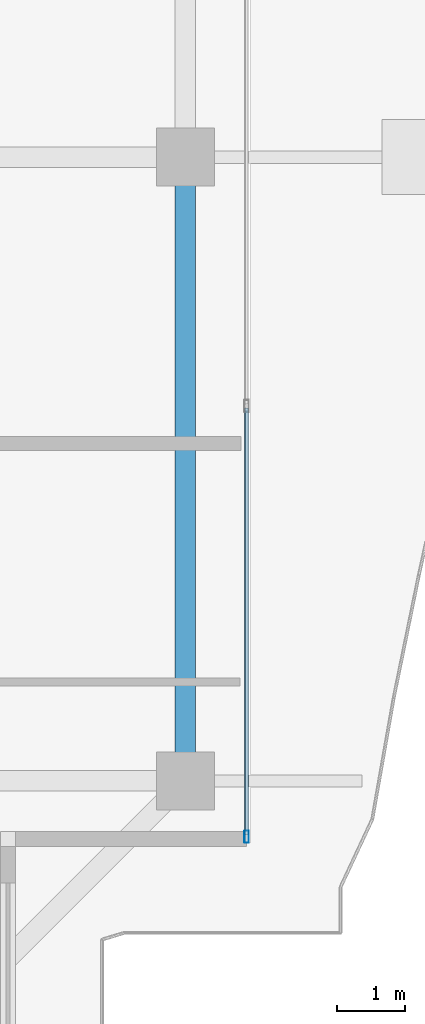
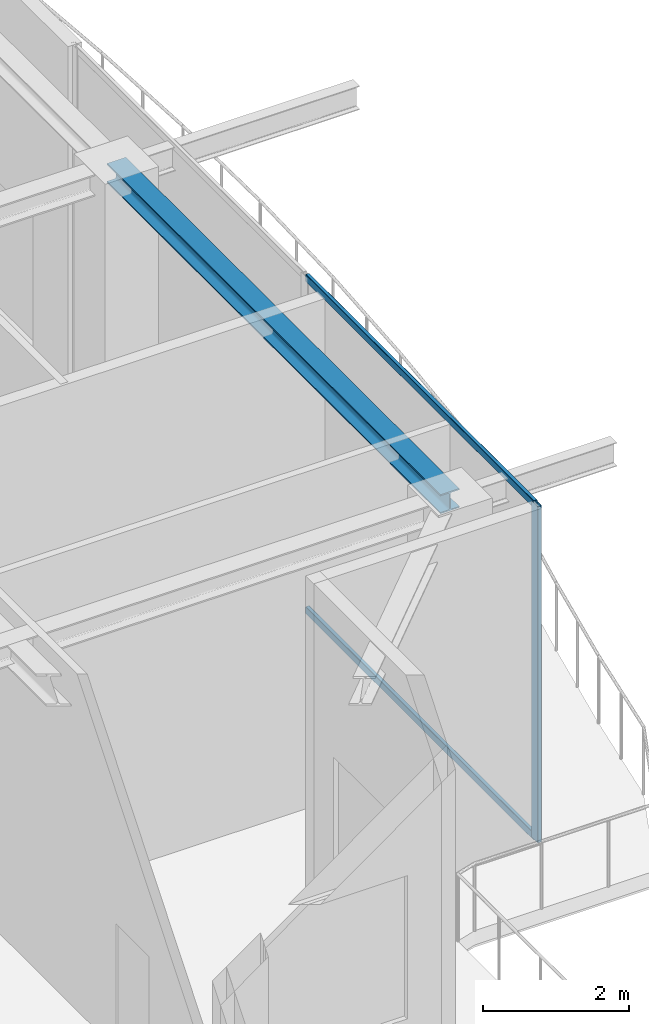
# One storey, part 13 of 38: 3 members, 1 beam, 1 element without a shape of its own.
"""IFC4 building model written with IfcOpenShell, lengths in metres."""

from ifc_helpers import new_model, si_unit, direction, frame, origin, origin_2d, place, context, subcontext, project, spatial, hollow_rectangle, i_section, extrude, source, transform, mapped, material, layer, layer_set, material_profile, profile_set, type_object, element, aggregate, save


model = new_model("IFC4")

# Units and contexts
model_context = context("Model", 3, precision=1e-05, world=origin(), true_north=direction((0.0, 1.0)))
body_context = subcontext(model_context, "Body", "Model", "MODEL_VIEW")
ifc_project = project(units=[si_unit("LENGTHUNIT", "METRE"), si_unit("AREAUNIT", "SQUARE_METRE"), si_unit("VOLUMEUNIT", "CUBIC_METRE"), si_unit("PLANEANGLEUNIT", "RADIAN"), si_unit("MASSUNIT", "GRAM", prefix="KILO")], contexts=[model_context])

# Site, building, storey
site_placement = place(None, origin())
site = spatial("IfcSite", under=ifc_project, at=site_placement, CompositionType="ELEMENT")
building_placement = place(site_placement, origin())
building = spatial("IfcBuilding", under=site, at=building_placement, Name="Serunith Strait Residences", CompositionType="ELEMENT")
storey_placement = place(building_placement, frame((0.0, 0.0, 342.050048828125)))
storey = spatial("IfcBuildingStorey", under=building, at=storey_placement, Name="L85", CompositionType="ELEMENT", Elevation=342.050048828125)

# Beam
ifc_material_1 = material(Name="Steel S355J2", Category="steel")
ifc_material_profile_1 = material_profile(ifc_material_1, i_section(OverallWidth=0.300048828125, OverallDepth=0.320068359375, WebThickness=0.011474609375, FlangeThickness=0.0205078125, FilletRadius=0.027099609375, at=origin_2d()), Name="HEB 320")
ifc_profile_set_1 = profile_set([ifc_material_profile_1], Name="Steel S355J2")
beam_type = type_object("IfcBeamType", Name="BM-HEB320", PredefinedType="BEAM", material=ifc_profile_set_1)
shared_shape_1 = source(origin(), body_context, "Body", "SweptSolid", [
    extrude(i_section(OverallWidth=0.300048828125, OverallDepth=0.320068359375, WebThickness=0.011474609375, FlangeThickness=0.0205078125, FilletRadius=0.027099609375, at=origin_2d()), origin(), (0.0, 0.0, 1.0), 9.14990234375),
])
beam_placement = place(storey_placement, frame((53.10009765625, 11.85009765625, 5.47705078125), z_axis=(0.0, 1.0, 0.0), x_axis=(-1.0, 0.0, 0.0)))
element("IfcBeam", 1, at=beam_placement, inside=storey, type_object=beam_type, Name="L85 Perimeter Ring Beam 05", PredefinedType="BEAM", context=body_context, shape_type="MappedRepresentation", body=[
    mapped(shared_shape_1, transform((0.0, 0.0, 0.0), scale=1.0)),
])

# Curtain wall, members
ifc_material_2 = material(Name="Brushed Stainless-Silver Aluminium", Category="aluminium")
ifc_layer = layer(ifc_material_2, 0.199951171875, Name="Brushed Stainless-Silver Aluminium")
ifc_layer_set = layer_set([ifc_layer], Name="Brushed Stainless-Silver Aluminium")
curtain_wall_type = type_object("IfcCurtainWallType", Name="CW-SYS5", PredefinedType="NOTDEFINED", material=ifc_layer_set)
curtain_wall_placement = place(storey_placement, origin())
curtain_wall = element("IfcCurtainWall", 2, at=curtain_wall_placement, inside=storey, type_object=curtain_wall_type, Name="L85 E Unitised Fritted Curtain Wall", PredefinedType="NOTDEFINED")
ifc_material_profile_2 = material_profile(ifc_material_2, hollow_rectangle(XDim=0.06005859375, YDim=0.1201171875, WallThickness=0.00341796875, InnerFilletRadius=0.00537109375, OuterFilletRadius=0.0087890625, at=origin_2d()), Name="ALU 120x60x3.5")
ifc_profile_set_2 = profile_set([ifc_material_profile_2], Name="Brushed Stainless-Silver Aluminium")
member_type_1 = type_object("IfcMemberType", Name="CW-SYS5-TRAN", PredefinedType="USERDEFINED", material=ifc_profile_set_2)
shared_shape_2 = source(origin(), body_context, "Body", "SweptSolid", [
    extrude(hollow_rectangle(XDim=0.06005859375, YDim=0.1201171875, WallThickness=0.00341796875, InnerFilletRadius=0.00537109375, OuterFilletRadius=0.0087890625, at=origin_2d()), origin(), (0.0, 0.0, 1.0), 6.25244140625),
])
member_1_placement = place(storey_placement, frame((54.0, 11.06494140625, 0.030029296875), z_axis=(0.0, 1.0, 0.0), x_axis=(-1.0, 0.0, 0.0)))
member_1 = element("IfcMember", 3, at=member_1_placement, type_object=member_type_1, Name="CW-5 transom 1.1", ObjectType="TRANSOM", PredefinedType="USERDEFINED", context=body_context, shape_type="MappedRepresentation", body=[
    mapped(shared_shape_2, transform((0.0, 0.0, 0.0), scale=1.0)),
])
member_2_placement = place(storey_placement, frame((54.0, 11.06494140625, 5.594970703125), z_axis=(0.0, 1.0, 0.0), x_axis=(-1.0, 0.0, 0.0)))
member_2 = element("IfcMember", 4, at=member_2_placement, type_object=member_type_1, Name="CW-5 transom 1.2", ObjectType="TRANSOM", PredefinedType="USERDEFINED", context=body_context, shape_type="MappedRepresentation", body=[
    mapped(shared_shape_2, transform((0.0, 0.0, 0.0), scale=1.0)),
])
ifc_material_profile_3 = material_profile(ifc_material_2, hollow_rectangle(XDim=0.06494140625, YDim=0.179931640625, WallThickness=0.00341796875, InnerFilletRadius=0.00537109375, OuterFilletRadius=0.0087890625, at=origin_2d()), Name="ALU 180x65x3.5")
ifc_profile_set_3 = profile_set([ifc_material_profile_3], Name="Brushed Stainless-Silver Aluminium")
member_type_2 = type_object("IfcMemberType", Name="CW-SYS5-MULL", PredefinedType="MULLION", material=ifc_profile_set_3)
shared_shape_3 = source(origin(), body_context, "Body", "SweptSolid", [
    extrude(hollow_rectangle(XDim=0.06494140625, YDim=0.179931640625, WallThickness=0.00341796875, InnerFilletRadius=0.00537109375, OuterFilletRadius=0.0087890625, at=origin_2d()), origin(), (0.0, 0.0, 1.0), 5.625),
])
member_3_placement = place(storey_placement, frame((54.0, 11.032470703125, 0.0), z_axis=(0.0, 0.0, 1.0), x_axis=(-1.0, 0.0, 0.0)))
member_3 = element("IfcMember", 5, at=member_3_placement, type_object=member_type_2, Name="CW-5 mullion 1", PredefinedType="MULLION", context=body_context, shape_type="MappedRepresentation", body=[
    mapped(shared_shape_3, transform((0.0, 0.0, 0.0), scale=1.0)),
])
aggregate(curtain_wall, [member_3, member_1, member_2])

save(model, "model.ifc")
